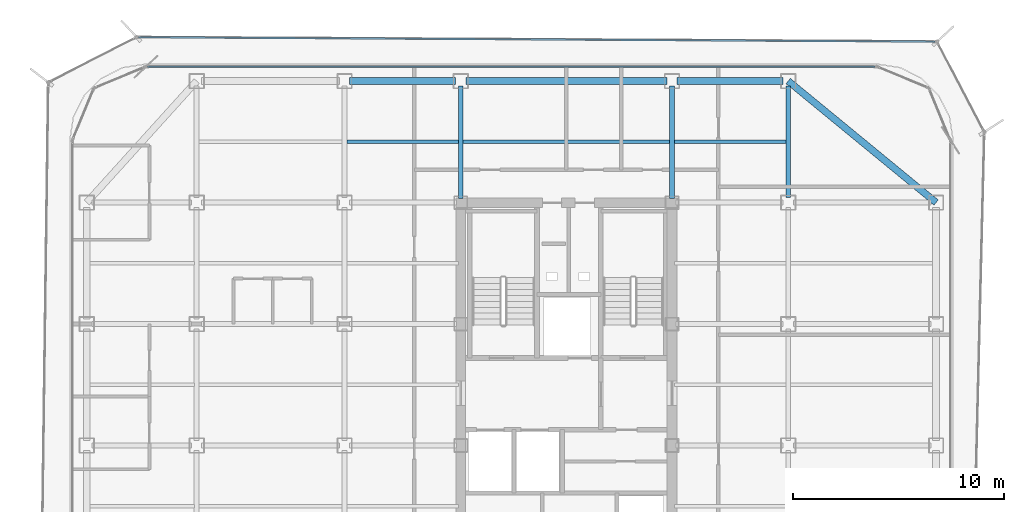
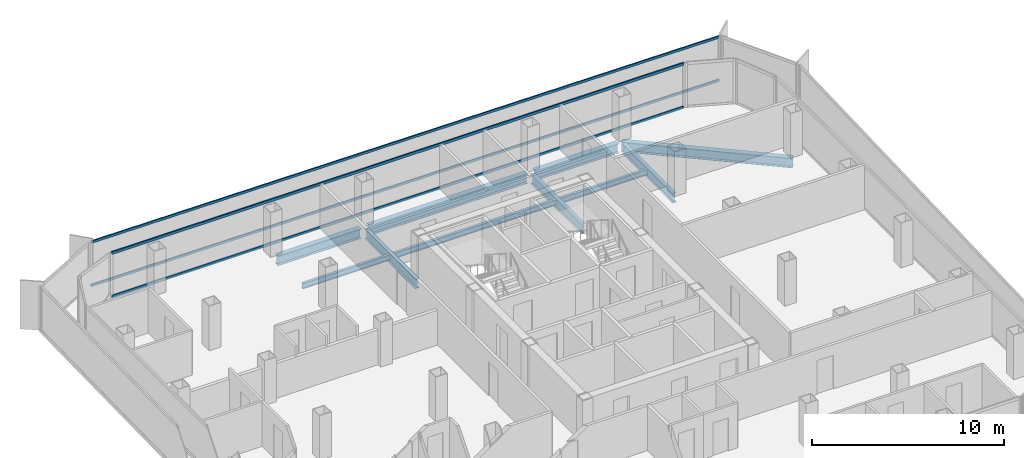
# One storey, part 7 of 15: 10 beams, 4 members, 2 elements without a shape of their own.
"""IFC4 building model written with IfcOpenShell, lengths in metres."""

from ifc_helpers import new_model, si_unit, direction, frame, origin, origin_2d, place, context, subcontext, project, spatial, hollow_rectangle, i_section, extrude, source, transform, mapped, material, layer, layer_set, material_profile, profile_set, type_object, element, aggregate, save


model = new_model("IFC4")

# Units and contexts
model_context = context("Model", 3, precision=1e-05, world=origin(), true_north=direction((0.0, 1.0)))
body_context = subcontext(model_context, "Body", "Model", "MODEL_VIEW")
ifc_project = project(units=[si_unit("LENGTHUNIT", "METRE"), si_unit("AREAUNIT", "SQUARE_METRE"), si_unit("VOLUMEUNIT", "CUBIC_METRE"), si_unit("PLANEANGLEUNIT", "RADIAN"), si_unit("MASSUNIT", "GRAM", prefix="KILO")], contexts=[model_context])

# Site, building, storey
site_placement = place(None, origin())
site = spatial("IfcSite", under=ifc_project, at=site_placement, CompositionType="ELEMENT")
building_placement = place(site_placement, origin())
building = spatial("IfcBuilding", under=site, at=building_placement, Name="Kolveth Station Tower", CompositionType="ELEMENT")
storey_placement = place(building_placement, frame((0.0, 0.0, 184.89990234375)))
storey = spatial("IfcBuildingStorey", under=building, at=storey_placement, Name="L52", CompositionType="ELEMENT", Elevation=184.89990234375)

# Beams
ifc_material_1 = material(Name="Steel S355", Category="steel")
ifc_material_profile_1 = material_profile(ifc_material_1, i_section(OverallWidth=0.323974609375, OverallDepth=0.611083984375, WebThickness=0.0126953125, FlangeThickness=0.01904296875, at=origin_2d()), Name="W610x155")
ifc_profile_set_1 = profile_set([ifc_material_profile_1], Name="Steel S355")
beam_type_1 = type_object("IfcBeamType", Name="Beam_SP2", PredefinedType="SPANDREL", material=ifc_profile_set_1)
shared_shape_1 = source(origin(), body_context, "Body", "SweptSolid", [
    extrude(i_section(OverallWidth=0.323974609375, OverallDepth=0.611083984375, WebThickness=0.0126953125, FlangeThickness=0.01904296875, at=origin_2d()), origin(), (0.0, 0.0, 1.0), 5.02001953125),
])
for number, where, z_axis, x_axis, name in (
    (1, (13.239990234375, 34.5, -0.555419921875), (1.0, 0.0, 0.0), (0.0, 1.0, 0.0), "L52 Perimeter Spandrel BM-L52-PN-2"),
    (2, (28.739990234375, 34.5, -0.555419921875), (1.0, 0.0, 0.0), (0.0, 1.0, 0.0), "L52 Perimeter Spandrel BM-L52-PN-4"),
):
    element("IfcBeam", number, at=place(storey_placement, frame(where, z_axis=z_axis, x_axis=x_axis)), inside=storey, type_object=beam_type_1, Name=name, PredefinedType="SPANDREL", context=body_context, shape_type="MappedRepresentation", body=[
        mapped(shared_shape_1, transform((0.0, 0.0, 0.0), x_axis=(1.0, 0.0, 0.0), y_axis=(0.0, 1.0, 0.0), z_axis=(0.0, 0.0, 1.0), scale=1.0)),
    ])
shared_shape_2 = source(origin(), body_context, "Body", "SweptSolid", [
    extrude(i_section(OverallWidth=0.323974609375, OverallDepth=0.611083984375, WebThickness=0.0126953125, FlangeThickness=0.01904296875, at=origin_2d()), origin(), (0.0, 0.0, 1.0), 9.52001953125),
])
beam_1_placement = place(storey_placement, frame((18.739990234375, 34.5, -0.555419921875), z_axis=(1.0, 0.0, 0.0), x_axis=(0.0, 1.0, 0.0)))
element("IfcBeam", 3, at=beam_1_placement, inside=storey, type_object=beam_type_1, Name="L52 Perimeter Spandrel BM-L52-PN-3", PredefinedType="SPANDREL", context=body_context, shape_type="MappedRepresentation", body=[
    mapped(shared_shape_2, transform((0.0, 0.0, 0.0), x_axis=(1.0, 0.0, 0.0), y_axis=(0.0, 1.0, 0.0), z_axis=(0.0, 0.0, 1.0), scale=1.0)),
])
shared_shape_3 = source(origin(), body_context, "Body", "SweptSolid", [
    extrude(i_section(OverallWidth=0.323974609375, OverallDepth=0.611083984375, WebThickness=0.0126953125, FlangeThickness=0.01904296875, at=origin_2d()), origin(), (0.0, 0.0, 1.0), 9.058837890625),
])
beam_2_placement = place(storey_placement, frame((41.0, 28.75, -0.555419921875), z_axis=(-0.772726254525, 0.63473942336, 0.0), x_axis=(-0.63473942336, -0.772726254525, 0.0)))
element("IfcBeam", 4, at=beam_2_placement, inside=storey, type_object=beam_type_1, Name="L52 Corner Edge Girder BM-L52-CNR-NE", PredefinedType="SPANDREL", context=body_context, shape_type="MappedRepresentation", body=[
    mapped(shared_shape_3, transform((0.0, 0.0, 0.0), x_axis=(1.0, 0.0, 0.0), y_axis=(0.0, 1.0, 0.0), z_axis=(0.0, 0.0, 1.0), scale=1.0)),
])
ifc_material_profile_2 = material_profile(ifc_material_1, i_section(OverallWidth=0.22900390625, OverallDepth=0.612060546875, WebThickness=0.011962890625, FlangeThickness=0.01953125, at=origin_2d()), Name="W610x125")
ifc_profile_set_2 = profile_set([ifc_material_profile_2], Name="Steel S355")
beam_type_2 = type_object("IfcBeamType", Name="Beam_B5", PredefinedType="BEAM", material=ifc_profile_set_2)
shared_shape_4 = source(origin(), body_context, "Body", "SweptSolid", [
    extrude(i_section(OverallWidth=0.22900390625, OverallDepth=0.612060546875, WebThickness=0.011962890625, FlangeThickness=0.01953125, at=origin_2d()), origin(), (0.0, 0.0, 1.0), 5.27001953125),
])
beam_3_placement = place(storey_placement, frame((34.0, 28.989990234375, -0.555908203125), z_axis=(0.0, 1.0, 0.0), x_axis=(-1.0, 0.0, 0.0)))
element("IfcBeam", 5, at=beam_3_placement, inside=storey, type_object=beam_type_2, Name="L52 Primary Girder BM-L52-GX340-6", PredefinedType="BEAM", context=body_context, shape_type="MappedRepresentation", body=[
    mapped(shared_shape_4, transform((0.0, 0.0, 0.0), x_axis=(1.0, 0.0, 0.0), y_axis=(0.0, 1.0, 0.0), z_axis=(0.0, 0.0, 1.0), scale=1.0)),
])
shared_shape_5 = source(origin(), body_context, "Body", "SweptSolid", [
    extrude(i_section(OverallWidth=0.22900390625, OverallDepth=0.612060546875, WebThickness=0.011962890625, FlangeThickness=0.01953125, at=origin_2d()), origin(), (0.0, 0.0, 1.0), 5.31005859375),
])
for number, where, z_axis, x_axis, name in (
    (6, (18.5, 28.949951171875, -0.555908203125), (0.0, 1.0, 0.0), (-1.0, 0.0, 0.0), "L52 Primary Girder BM-L52-GX185-6"),
    (7, (28.5, 28.949951171875, -0.555908203125), (0.0, 1.0, 0.0), (-1.0, 0.0, 0.0), "L52 Primary Girder BM-L52-GX285-6"),
):
    element("IfcBeam", number, at=place(storey_placement, frame(where, z_axis=z_axis, x_axis=x_axis)), inside=storey, type_object=beam_type_2, Name=name, PredefinedType="BEAM", context=body_context, shape_type="MappedRepresentation", body=[
        mapped(shared_shape_5, transform((0.0, 0.0, 0.0), x_axis=(1.0, 0.0, 0.0), y_axis=(0.0, 1.0, 0.0), z_axis=(0.0, 0.0, 1.0), scale=1.0)),
    ])
ifc_material_profile_3 = material_profile(ifc_material_1, i_section(OverallWidth=0.1708984375, OverallDepth=0.35205078125, WebThickness=0.0068359375, FlangeThickness=0.009765625, at=origin_2d()), Name="W360x44")
ifc_profile_set_3 = profile_set([ifc_material_profile_3], Name="Steel S355")
beam_type_3 = type_object("IfcBeamType", Name="Beam_J2", PredefinedType="JOIST", material=ifc_profile_set_3)
shared_shape_6 = source(origin(), body_context, "Body", "SweptSolid", [
    extrude(i_section(OverallWidth=0.1708984375, OverallDepth=0.35205078125, WebThickness=0.0068359375, FlangeThickness=0.009765625, at=origin_2d()), origin(), (0.0, 0.0, 1.0), 5.27490234375),
])
for number, where, z_axis, x_axis, name in (
    (8, (13.112548828125, 31.625, -0.42578125), (1.0, 0.0, 0.0), (0.0, 1.0, 0.0), "L52 Secondary Joist JST-L52-3-6"),
    (9, (28.612548828125, 31.625, -0.42578125), (1.0, 0.0, 0.0), (0.0, 1.0, 0.0), "L52 Secondary Joist JST-L52-5-6"),
):
    element("IfcBeam", number, at=place(storey_placement, frame(where, z_axis=z_axis, x_axis=x_axis)), inside=storey, type_object=beam_type_3, Name=name, PredefinedType="JOIST", context=body_context, shape_type="MappedRepresentation", body=[
        mapped(shared_shape_6, transform((0.0, 0.0, 0.0), x_axis=(1.0, 0.0, 0.0), y_axis=(0.0, 1.0, 0.0), z_axis=(0.0, 0.0, 1.0), scale=1.0)),
    ])
shared_shape_7 = source(origin(), body_context, "Body", "SweptSolid", [
    extrude(i_section(OverallWidth=0.1708984375, OverallDepth=0.35205078125, WebThickness=0.0068359375, FlangeThickness=0.009765625, at=origin_2d()), origin(), (0.0, 0.0, 1.0), 9.77490234375),
])
beam_4_placement = place(storey_placement, frame((18.612548828125, 31.625, -0.42578125), z_axis=(1.0, 0.0, 0.0), x_axis=(0.0, 1.0, 0.0)))
element("IfcBeam", 10, at=beam_4_placement, inside=storey, type_object=beam_type_3, Name="L52 Secondary Joist JST-L52-4-6", PredefinedType="JOIST", context=body_context, shape_type="MappedRepresentation", body=[
    mapped(shared_shape_7, transform((0.0, 0.0, 0.0), x_axis=(1.0, 0.0, 0.0), y_axis=(0.0, 1.0, 0.0), z_axis=(0.0, 0.0, 1.0), scale=1.0)),
])

# Curtain wall, members
ifc_material_2 = material(Name="Aluminium 6063-T6 and low-E dark glass", Category="aluminium")
ifc_layer_1 = layer(ifc_material_2, 0.18994140625)
ifc_layer_set_1 = layer_set([ifc_layer_1], Name="Aluminium 6063-T6 and low-E dark glass")
curtain_wall_type_1 = type_object("IfcCurtainWallType", Name="CurtainWall_CW-Z2", PredefinedType="NOTDEFINED", material=ifc_layer_set_1)
curtain_wall_1_placement = place(storey_placement, origin())
curtain_wall_1 = element("IfcCurtainWall", 11, at=curtain_wall_1_placement, inside=storey, type_object=curtain_wall_type_1, Name="L52 Inner Thermal Curtain Wall 6", PredefinedType="NOTDEFINED")
ifc_material_3 = material(Name="Black anodized aluminium 6063-T6", Category="aluminium")
ifc_material_profile_4 = material_profile(ifc_material_3, hollow_rectangle(XDim=0.080078125, YDim=0.169921875, WallThickness=0.0048828125, at=origin_2d()), Name="ALU-80x170x5")
ifc_profile_set_4 = profile_set([ifc_material_profile_4], Name="Black anodized aluminium 6063-T6")
member_type_1 = type_object("IfcMemberType", Name="Transom_TR2", PredefinedType="USERDEFINED", material=ifc_profile_set_4)
shared_shape_8 = source(origin(), body_context, "Body", "SweptSolid", [
    extrude(hollow_rectangle(XDim=0.080078125, YDim=0.169921875, WallThickness=0.0048828125, at=origin_2d()), origin(), (0.0, 0.0, 1.0), 34.440185546875),
])
member_1_placement = place(storey_placement, frame((38.1201171875, 35.179931640625, 0.0400390625), z_axis=(-1.0, 0.0, 0.0), x_axis=(0.0, -1.0, 0.0)))
member_1 = element("IfcMember", 12, at=member_1_placement, type_object=member_type_1, Name="CW-Z2 transom 1.1", ObjectType="TRANSOM", PredefinedType="USERDEFINED", context=body_context, shape_type="MappedRepresentation", body=[
    mapped(shared_shape_8, transform((0.0, 0.0, 0.0), x_axis=(1.0, 0.0, 0.0), y_axis=(0.0, 1.0, 0.0), z_axis=(0.0, 0.0, 1.0), scale=1.0)),
])
member_2_placement = place(storey_placement, frame((38.1201171875, 35.179931640625, 2.800048828125), z_axis=(-1.0, 0.0, 0.0), x_axis=(0.0, -1.0, 0.0)))
member_2 = element("IfcMember", 13, at=member_2_placement, type_object=member_type_1, Name="CW-Z2 transom 1.2", ObjectType="TRANSOM", PredefinedType="USERDEFINED", context=body_context, shape_type="MappedRepresentation", body=[
    mapped(shared_shape_8, transform((0.0, 0.0, 0.0), x_axis=(1.0, 0.0, 0.0), y_axis=(0.0, 1.0, 0.0), z_axis=(0.0, 0.0, 1.0), scale=1.0)),
])
aggregate(curtain_wall_1, [member_1, member_2])

ifc_material_4 = material(Name="Black anodized aluminium 6063-T6 and dark solar glass", Category="aluminium")
ifc_layer_2 = layer(ifc_material_4, 0.159912109375)
ifc_layer_set_2 = layer_set([ifc_layer_2], Name="Black anodized aluminium 6063-T6 and dark solar glass")
curtain_wall_type_2 = type_object("IfcCurtainWallType", Name="OUTER SKIN CW-OS", PredefinedType="NOTDEFINED", material=ifc_layer_set_2)
curtain_wall_2_placement = place(storey_placement, origin())
curtain_wall_2 = element("IfcCurtainWall", 14, at=curtain_wall_2_placement, inside=storey, type_object=curtain_wall_type_2, Name="L52 Outer Ventilated Skin Curtain Wall 4", PredefinedType="NOTDEFINED")
ifc_material_profile_5 = material_profile(ifc_material_3, hollow_rectangle(XDim=0.080078125, YDim=0.14990234375, WallThickness=0.0048828125, at=origin_2d()), Name="ALU-80x150x5")
ifc_profile_set_5 = profile_set([ifc_material_profile_5], Name="Black anodized aluminium 6063-T6")
member_type_2 = type_object("IfcMemberType", Name="Transom_TR-OS", PredefinedType="USERDEFINED", material=ifc_profile_set_5)
shared_shape_9 = source(origin(), body_context, "Body", "SweptSolid", [
    extrude(hollow_rectangle(XDim=0.080078125, YDim=0.14990234375, WallThickness=0.0048828125, at=origin_2d()), origin(), (0.0, 0.0, 1.0), 37.69873046875),
])
member_3_placement = place(storey_placement, frame((40.9560546875, 36.365234375, 0.0400390625), z_axis=(-0.999984598624, 0.005550001302, 0.0), x_axis=(-0.005550001302, -0.999984598624, 0.0)))
member_3 = element("IfcMember", 15, at=member_3_placement, type_object=member_type_2, Name="CW-OS transom 1.1", ObjectType="TRANSOM", PredefinedType="USERDEFINED", context=body_context, shape_type="MappedRepresentation", body=[
    mapped(shared_shape_9, transform((0.0, 0.0, 0.0), x_axis=(1.0, 0.0, 0.0), y_axis=(0.0, 1.0, 0.0), z_axis=(0.0, 0.0, 1.0), scale=1.0)),
])
member_4_placement = place(storey_placement, frame((40.9560546875, 36.365234375, 2.800048828125), z_axis=(-0.999984598624, 0.005550001302, 0.0), x_axis=(-0.005550001302, -0.999984598624, 0.0)))
member_4 = element("IfcMember", 16, at=member_4_placement, type_object=member_type_2, Name="CW-OS transom 1.2", ObjectType="TRANSOM", PredefinedType="USERDEFINED", context=body_context, shape_type="MappedRepresentation", body=[
    mapped(shared_shape_9, transform((0.0, 0.0, 0.0), x_axis=(1.0, 0.0, 0.0), y_axis=(0.0, 1.0, 0.0), z_axis=(0.0, 0.0, 1.0), scale=1.0)),
])
aggregate(curtain_wall_2, [member_3, member_4])

save(model, "model.ifc")
